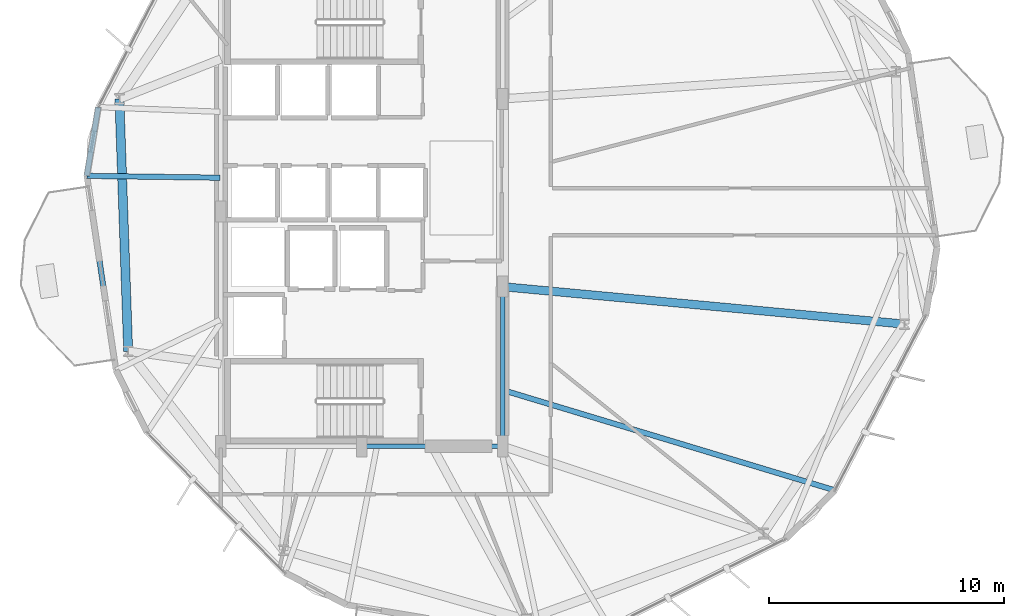
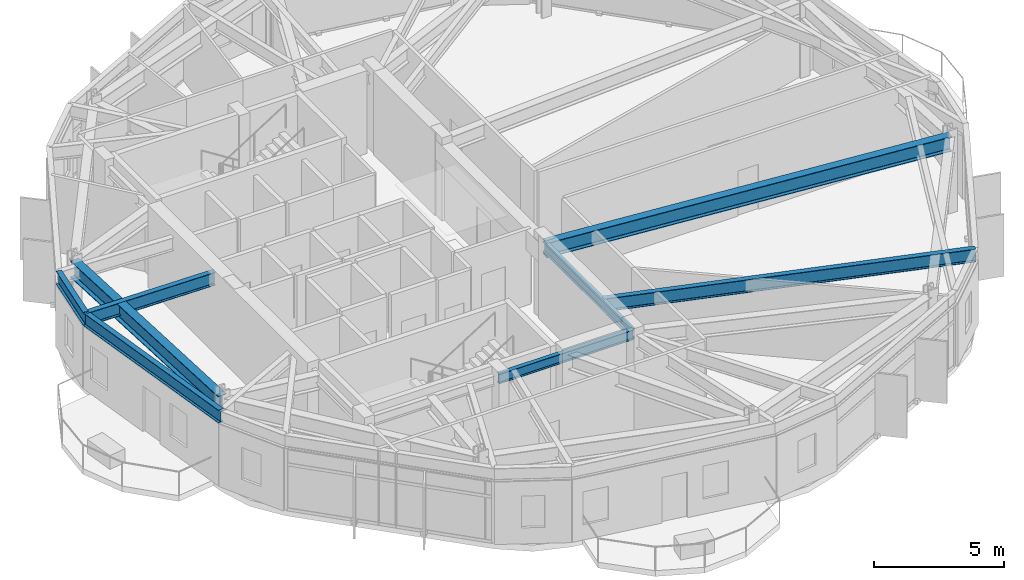
# One storey, part 6 of 22: 8 beams.
"""IFC4 building model written with IfcOpenShell, lengths in metres."""

from ifc_helpers import new_model, si_unit, direction, frame, origin, origin_2d, place, context, subcontext, project, spatial, i_section, extrude, material, material_profile, profile_set, type_object, element, save


model = new_model("IFC4")

# Units and contexts
model_context = context("Model", 3, precision=1e-05, world=origin(), true_north=direction((0.0, 1.0)))
body_context = subcontext(model_context, "Body", "Model", "MODEL_VIEW")
ifc_project = project(units=[si_unit("LENGTHUNIT", "METRE"), si_unit("AREAUNIT", "SQUARE_METRE"), si_unit("VOLUMEUNIT", "CUBIC_METRE"), si_unit("PLANEANGLEUNIT", "RADIAN"), si_unit("MASSUNIT", "GRAM", prefix="KILO")], contexts=[model_context])

# Site, building, storey
site_placement = place(None, origin())
site = spatial("IfcSite", under=ifc_project, at=site_placement, CompositionType="ELEMENT")
building_placement = place(site_placement, origin())
building = spatial("IfcBuilding", under=site, at=building_placement, Name="Soratama Intermodal Tower", CompositionType="ELEMENT")
storey_placement = place(building_placement, frame((0.0, 0.0, 130.300048828125)))
storey = spatial("IfcBuildingStorey", under=building, at=storey_placement, Name="L31", CompositionType="ELEMENT", Elevation=130.300048828125)

# Beams
ifc_material_1 = material(Name="Structural steel ASTM A992 Grade 50", Category="steel")
ifc_material_profile_1 = material_profile(ifc_material_1, i_section(OverallWidth=0.19091796875, OverallDepth=0.4599609375, WebThickness=0.010009765625, FlangeThickness=0.01611328125, FilletRadius=0.010986328125, at=origin_2d()), Name="W18X55")
ifc_profile_set_1 = profile_set([ifc_material_profile_1], Name="Structural steel ASTM A992 Grade 50")
beam_type_1 = type_object("IfcBeamType", Name="BM-FLR-W18X55", PredefinedType="BEAM", material=ifc_profile_set_1)
beam_1_placement = place(storey_placement, frame((38.60009765625, 15.0, 3.329833984375), z_axis=(1.0, 0.0, 0.0), x_axis=(0.0, 1.0, 0.0)))
element("IfcBeam", 1, at=beam_1_placement, inside=storey, type_object=beam_type_1, Name="BM-L31-CRING-02", PredefinedType="BEAM", context=body_context, shape_type="SweptSolid", body=[
    extrude(i_section(OverallWidth=0.19091796875, OverallDepth=0.4599609375, WebThickness=0.010009765625, FlangeThickness=0.01611328125, FilletRadius=0.010986328125, at=origin_2d()), origin(), (0.0, 0.0, 1.0), 6.0),
])
beam_2_placement = place(storey_placement, frame((44.60009765625, 15.0, 3.329833984375), z_axis=(0.0, 1.0, 0.0), x_axis=(-1.0, 0.0, 0.0)))
element("IfcBeam", 2, at=beam_2_placement, inside=storey, type_object=beam_type_1, Name="BM-L31-CRING-03", PredefinedType="BEAM", context=body_context, shape_type="SweptSolid", body=[
    extrude(i_section(OverallWidth=0.19091796875, OverallDepth=0.4599609375, WebThickness=0.010009765625, FlangeThickness=0.01611328125, FilletRadius=0.010986328125, at=origin_2d()), origin(), (0.0, 0.0, 1.0), 6.800048828125),
])
ifc_material_2 = material(Name="Structural steel ASTM A992 Grade 50", Category="steel")
ifc_material_profile_2 = material_profile(ifc_material_2, i_section(OverallWidth=0.35498046875, OverallDepth=0.695068359375, WebThickness=0.015380859375, FlangeThickness=0.02490234375, FilletRadius=0.01611328125, at=origin_2d()), Name="W27X146")
ifc_profile_set_2 = profile_set([ifc_material_profile_2], Name="Structural steel ASTM A992 Grade 50")
beam_type_2 = type_object("IfcBeamType", Name="BM-RING-W27X146", PredefinedType="BEAM", material=ifc_profile_set_2)
beam_3_placement = place(storey_placement, frame((44.60009765625, 21.800048828125, 3.21240234375), z_axis=(0.995686011515, -0.092786671855, 0.0), x_axis=(0.092786671855, 0.995686011515, 0.0)))
element("IfcBeam", 3, at=beam_3_placement, inside=storey, type_object=beam_type_2, Name="BM-L31-RAD-10", PredefinedType="BEAM", context=body_context, shape_type="SweptSolid", body=[
    extrude(i_section(OverallWidth=0.35498046875, OverallDepth=0.695068359375, WebThickness=0.015380859375, FlangeThickness=0.02490234375, FilletRadius=0.01611328125, at=origin_2d()), origin(), (0.0, 0.0, 1.0), 17.2001953125),
])
ifc_material_3 = material(Name="Structural steel ASTM A992 Grade 50", Category="steel")
ifc_material_profile_3 = material_profile(ifc_material_3, i_section(OverallWidth=0.382080078125, OverallDepth=0.779052734375, WebThickness=0.01806640625, FlangeThickness=0.030029296875, FilletRadius=0.01806640625, at=origin_2d()), Name="W30X191")
ifc_profile_set_3 = profile_set([ifc_material_profile_3], Name="Structural steel ASTM A992 Grade 50")
beam_type_3 = type_object("IfcBeamType", Name="BM-RING-W30X191", PredefinedType="BEAM", material=ifc_profile_set_3)
beam_4_placement = place(storey_placement, frame((28.27392578125, 29.7958984375, 3.17041015625), z_axis=(0.034872799059, -0.999391758964, 0.0), x_axis=(0.999391758964, 0.034872799059, 0.0)))
element("IfcBeam", 4, at=beam_4_placement, inside=storey, type_object=beam_type_3, Name="BM-L31-RING-05", PredefinedType="BEAM", context=body_context, shape_type="SweptSolid", body=[
    extrude(i_section(OverallWidth=0.382080078125, OverallDepth=0.779052734375, WebThickness=0.01806640625, FlangeThickness=0.030029296875, FilletRadius=0.01806640625, at=origin_2d()), origin(), (0.0, 0.0, 1.0), 10.75341796875),
])
ifc_material_4 = material(Name="Structural steel ASTM A992 Grade 50", Category="steel")
ifc_material_profile_4 = material_profile(ifc_material_4, i_section(OverallWidth=0.22900390625, OverallDepth=0.612060546875, WebThickness=0.011962890625, FlangeThickness=0.01953125, FilletRadius=0.012939453125, at=origin_2d()), Name="W24X84")
ifc_profile_set_4 = profile_set([ifc_material_profile_4], Name="Structural steel ASTM A992 Grade 50")
beam_type_4 = type_object("IfcBeamType", Name="BM-SPN-W24X84", PredefinedType="SPANDREL", material=ifc_profile_set_4)
beam_5_placement = place(storey_placement, frame((27.3740234375, 29.447021484375, 3.25390625), z_axis=(-0.164839367011, -0.986320426172, 0.0), x_axis=(0.986320426172, -0.164839367011, 0.0)))
element("IfcBeam", 5, at=beam_5_placement, inside=storey, type_object=beam_type_4, Name="BS-L31-CRN04", PredefinedType="SPANDREL", context=body_context, shape_type="SweptSolid", body=[
    extrude(i_section(OverallWidth=0.22900390625, OverallDepth=0.612060546875, WebThickness=0.011962890625, FlangeThickness=0.01953125, FilletRadius=0.012939453125, at=origin_2d()), origin(), (0.0, 0.0, 1.0), 2.966552734375),
])
beam_6_placement = place(storey_placement, frame((26.885009765625, 26.52099609375, 3.25390625), z_axis=(0.148150892043, -0.988964768425, 0.0), x_axis=(0.988964768425, 0.148150892043, 0.0)))
element("IfcBeam", 6, at=beam_6_placement, inside=storey, type_object=beam_type_4, Name="BS-L31-F05", PredefinedType="SPANDREL", context=body_context, shape_type="SweptSolid", body=[
    extrude(i_section(OverallWidth=0.22900390625, OverallDepth=0.612060546875, WebThickness=0.011962890625, FlangeThickness=0.01953125, FilletRadius=0.012939453125, at=origin_2d()), origin(), (0.0, 0.0, 1.0), 8.37646484375),
])
ifc_material_5 = material(Name="Structural steel ASTM A992 Grade 50", Category="steel")
ifc_material_profile_5 = material_profile(ifc_material_5, i_section(OverallWidth=0.22900390625, OverallDepth=0.612060546875, WebThickness=0.011962890625, FlangeThickness=0.01953125, FilletRadius=0.012939453125, at=origin_2d()), Name="W24X84")
ifc_profile_set_5 = profile_set([ifc_material_profile_5], Name="Structural steel ASTM A992 Grade 50")
beam_type_5 = type_object("IfcBeamType", Name="BM-TIE-W24X84", PredefinedType="BEAM", material=ifc_profile_set_5)
beam_7_placement = place(storey_placement, frame((32.56005859375, 26.44189453125, 3.25390625), z_axis=(-0.99990287352, 0.013937127598, 0.0), x_axis=(-0.013937127598, -0.99990287352, 0.0)))
element("IfcBeam", 7, at=beam_7_placement, inside=storey, type_object=beam_type_5, Name="BM-L31-TIE0-05", PredefinedType="BEAM", context=body_context, shape_type="SweptSolid", body=[
    extrude(i_section(OverallWidth=0.22900390625, OverallDepth=0.612060546875, WebThickness=0.011962890625, FlangeThickness=0.01953125, FilletRadius=0.012939453125, at=origin_2d()), origin(), (0.0, 0.0, 1.0), 5.675537109375),
])
beam_8_placement = place(storey_placement, frame((44.637939453125, 17.385986328125, 3.25390625), z_axis=(0.957321058575, -0.28902662647, 0.0), x_axis=(0.28902662647, 0.957321058575, 0.0)))
element("IfcBeam", 8, at=beam_8_placement, inside=storey, type_object=beam_type_5, Name="BM-L31-TIE0-09", PredefinedType="BEAM", context=body_context, shape_type="SweptSolid", body=[
    extrude(i_section(OverallWidth=0.22900390625, OverallDepth=0.612060546875, WebThickness=0.011962890625, FlangeThickness=0.01953125, FilletRadius=0.012939453125, at=origin_2d()), origin(), (0.0, 0.0, 1.0), 14.752685546875),
])

save(model, "model.ifc")
